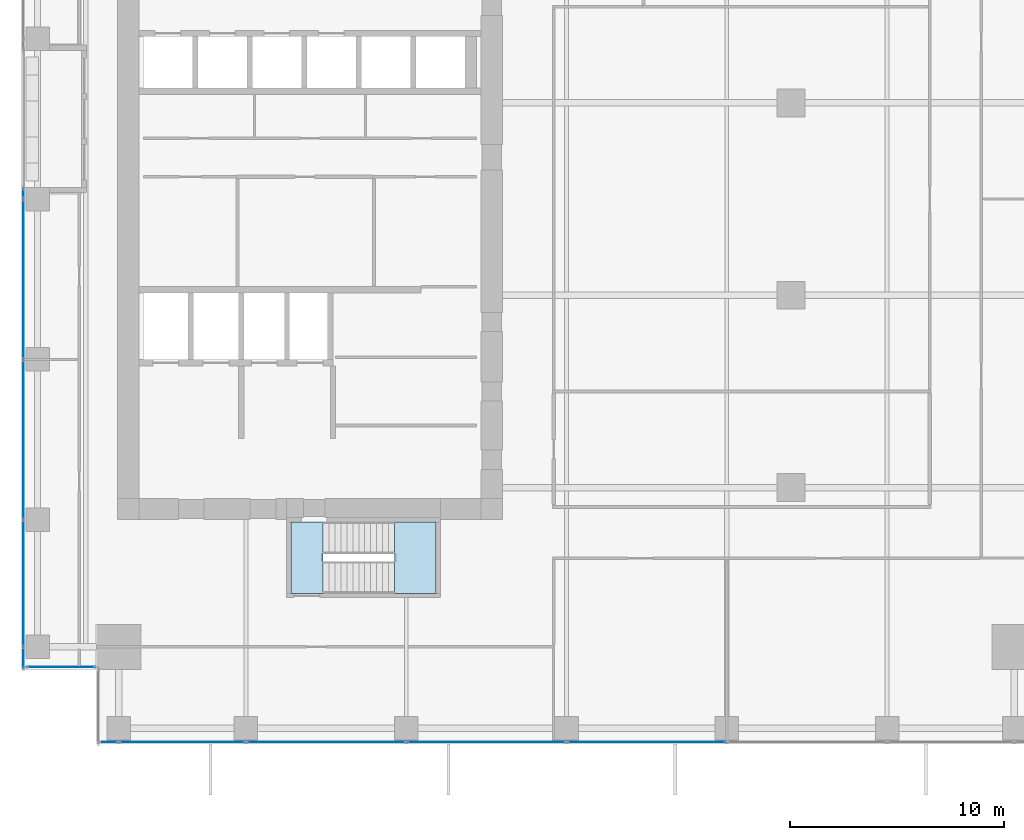
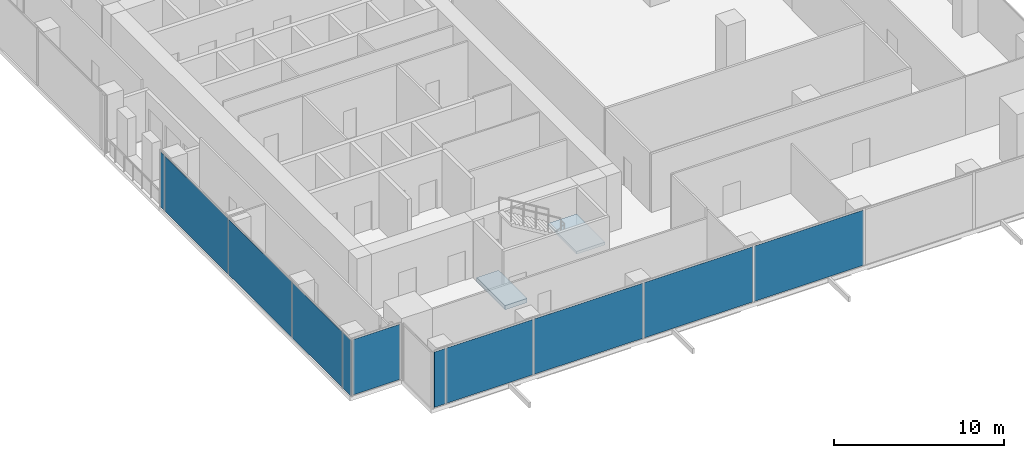
# One storey, part 24 of 35: 11 plates, 2 slabs, 4 elements without a shape of their own.
"""IFC4 building model written with IfcOpenShell, lengths in metres."""

from ifc_helpers import new_model, si_unit, direction, frame, origin, origin_2d, place, context, subcontext, project, spatial, polyline, rectangle, outline, extrude, source, transform, mapped, material, layer, layer_set, type_object, element, aggregate, save


model = new_model("IFC4")

# Units and contexts
model_context = context("Model", 3, precision=1e-05, world=origin(), true_north=direction((0.0, 1.0)))
body_context = subcontext(model_context, "Body", "Model", "MODEL_VIEW")
ifc_project = project(units=[si_unit("LENGTHUNIT", "METRE"), si_unit("AREAUNIT", "SQUARE_METRE"), si_unit("VOLUMEUNIT", "CUBIC_METRE"), si_unit("PLANEANGLEUNIT", "RADIAN"), si_unit("MASSUNIT", "GRAM", prefix="KILO")], contexts=[model_context])

# Site, building, storey
site_placement = place(None, origin())
site = spatial("IfcSite", under=ifc_project, at=site_placement, CompositionType="ELEMENT")
building_placement = place(site_placement, origin())
building = spatial("IfcBuilding", under=site, at=building_placement, Name="Khomas Fold Tower", CompositionType="ELEMENT")
storey_placement = place(building_placement, frame((0.0, 0.0, 132.300048828125)))
storey = spatial("IfcBuildingStorey", under=building, at=storey_placement, Name="L28", CompositionType="ELEMENT", Elevation=132.300048828125)

# Curtain wall, plates
ifc_material_1 = material(Name="Aluminium framed double glazing", Category="aluminium")
curtain_wall_type = type_object("IfcCurtainWallType", Name="SK-Unitised clear-glass wall, growing floors CW1", PredefinedType="NOTDEFINED", material=ifc_material_1)
curtain_wall_1_placement = place(storey_placement, origin())
curtain_wall_1 = element("IfcCurtainWall", 1, at=curtain_wall_1_placement, inside=storey, type_object=curtain_wall_type, Name="CW1 run L28 00-0", PredefinedType="NOTDEFINED")
ifc_material_2 = material(Name="Clear double glazed unit")
ifc_layer_1 = layer(ifc_material_2, 0.031982421875)
ifc_layer_set_1 = layer_set([ifc_layer_1], Name="Clear double glazed unit")
plate_type = type_object("IfcPlateType", Name="SK-Unitised clear-glass wall, growing floors glass panel CW1-P", PredefinedType="CURTAIN_PANEL", material=ifc_layer_set_1)
shared_shape_1 = source(origin(), body_context, "Body", "SweptSolid", [
    extrude(rectangle(XDim=0.760009765625, YDim=0.031982421875, at=origin_2d()), origin(), (0.0, 0.0, 1.0), 3.97998046875),
])
plate_1_placement = place(storey_placement, frame((5.639892578125, 1.60009765625, 0.0), z_axis=(0.0, 0.0, 1.0), x_axis=(1.0, 0.0, 0.0)))
plate_1 = element("IfcPlate", 2, at=plate_1_placement, type_object=plate_type, Name="CW1 glass panel 1", PredefinedType="CURTAIN_PANEL", context=body_context, shape_type="MappedRepresentation", body=[
    mapped(shared_shape_1, transform((0.0, 0.0, 0.0))),
])
shared_shape_2 = source(origin(), body_context, "Body", "SweptSolid", [
    extrude(rectangle(XDim=5.889892578125, YDim=0.031982421875, at=origin_2d()), origin(), (0.0, 0.0, 1.0), 3.97998046875),
])
plate_2_placement = place(storey_placement, frame((9.02490234375, 1.60009765625, 0.0), z_axis=(0.0, 0.0, 1.0), x_axis=(1.0, 0.0, 0.0)))
plate_2 = element("IfcPlate", 3, at=plate_2_placement, type_object=plate_type, Name="CW1 glass panel 2", PredefinedType="CURTAIN_PANEL", context=body_context, shape_type="MappedRepresentation", body=[
    mapped(shared_shape_2, transform((0.0, 0.0, 0.0))),
])

# Curtain wall, plate
curtain_wall_2_placement = place(storey_placement, origin())
curtain_wall_2 = element("IfcCurtainWall", 4, at=curtain_wall_2_placement, inside=storey, type_object=curtain_wall_type, Name="CW1 run L28 09-1", PredefinedType="NOTDEFINED")
plate_3_placement = place(storey_placement, frame((1.60009765625, 9.02490234375, 0.0), z_axis=(0.0, 0.0, 1.0), x_axis=(0.0, -1.0, 0.0)))
plate_3 = element("IfcPlate", 5, at=plate_3_placement, type_object=plate_type, Name="CW1 glass panel 4", PredefinedType="CURTAIN_PANEL", context=body_context, shape_type="MappedRepresentation", body=[
    mapped(shared_shape_2, transform((0.0, 0.0, 0.0))),
])

# Plate
shared_shape_3 = source(origin(), body_context, "Body", "SweptSolid", [
    extrude(rectangle(XDim=7.43994140625, YDim=0.031982421875, at=origin_2d()), origin(), (0.0, 0.0, 1.0), 3.97998046875),
])
plate_4_placement = place(storey_placement, frame((15.75, 1.60009765625, 0.0), z_axis=(0.0, 0.0, 1.0), x_axis=(1.0, 0.0, 0.0)))
plate_4 = element("IfcPlate", 6, at=plate_4_placement, type_object=plate_type, Name="CW1 glass panel 3", PredefinedType="CURTAIN_PANEL", context=body_context, shape_type="MappedRepresentation", body=[
    mapped(shared_shape_3, transform((0.0, 0.0, 0.0))),
])

plate_5_placement = place(storey_placement, frame((23.25, 1.60009765625, 0.0), z_axis=(0.0, 0.0, 1.0), x_axis=(1.0, 0.0, 0.0)))
plate_5 = element("IfcPlate", 7, at=plate_5_placement, type_object=plate_type, Name="CW1 glass panel 4", PredefinedType="CURTAIN_PANEL", context=body_context, shape_type="MappedRepresentation", body=[
    mapped(shared_shape_3, transform((0.0, 0.0, 0.0))),
])

plate_6_placement = place(storey_placement, frame((30.75, 1.60009765625, 0.0), z_axis=(0.0, 0.0, 1.0), x_axis=(1.0, 0.0, 0.0)))
plate_6 = element("IfcPlate", 8, at=plate_6_placement, type_object=plate_type, Name="CW1 glass panel 5", PredefinedType="CURTAIN_PANEL", context=body_context, shape_type="MappedRepresentation", body=[
    mapped(shared_shape_3, transform((0.0, 0.0, 0.0))),
])

aggregate(curtain_wall_1, [plate_1, plate_2, plate_4, plate_5, plate_6])

plate_7_placement = place(storey_placement, frame((1.60009765625, 23.25, 0.0), z_axis=(0.0, 0.0, 1.0), x_axis=(0.0, -1.0, 0.0)))
plate_7 = element("IfcPlate", 9, at=plate_7_placement, type_object=plate_type, Name="CW1 glass panel 2", PredefinedType="CURTAIN_PANEL", context=body_context, shape_type="MappedRepresentation", body=[
    mapped(shared_shape_3, transform((0.0, 0.0, 0.0))),
])

plate_8_placement = place(storey_placement, frame((1.60009765625, 15.75, 0.0), z_axis=(0.0, 0.0, 1.0), x_axis=(0.0, -1.0, 0.0)))
plate_8 = element("IfcPlate", 10, at=plate_8_placement, type_object=plate_type, Name="CW1 glass panel 3", PredefinedType="CURTAIN_PANEL", context=body_context, shape_type="MappedRepresentation", body=[
    mapped(shared_shape_3, transform((0.0, 0.0, 0.0))),
])

shared_shape_4 = source(origin(), body_context, "Body", "SweptSolid", [
    extrude(rectangle(XDim=0.9599609375, YDim=0.031982421875, at=origin_2d()), origin(), (0.0, 0.0, 1.0), 3.97998046875),
])
plate_9_placement = place(storey_placement, frame((1.60009765625, 5.5400390625, 0.0), z_axis=(0.0, 0.0, 1.0), x_axis=(0.0, -1.0, 0.0)))
plate_9 = element("IfcPlate", 11, at=plate_9_placement, type_object=plate_type, Name="CW1 glass panel 5", PredefinedType="CURTAIN_PANEL", context=body_context, shape_type="MappedRepresentation", body=[
    mapped(shared_shape_4, transform((0.0, 0.0, 0.0))),
])

# Curtain wall, plate
curtain_wall_3_placement = place(storey_placement, origin())
curtain_wall_3 = element("IfcCurtainWall", 12, at=curtain_wall_3_placement, inside=storey, type_object=curtain_wall_type, Name="CW1 corner return L28 10", PredefinedType="NOTDEFINED")
shared_shape_5 = source(origin(), body_context, "Body", "SweptSolid", [
    extrude(rectangle(XDim=3.179931640625, YDim=0.031982421875, at=origin_2d()), origin(), (0.0, 0.0, 1.0), 3.97998046875),
])
plate_10_placement = place(storey_placement, frame((3.35009765625, 5.10009765625, 0.0), z_axis=(0.0, 0.0, 1.0), x_axis=(1.0, 0.0, 0.0)))
plate_10 = element("IfcPlate", 13, at=plate_10_placement, type_object=plate_type, Name="CW1 glass panel 1", PredefinedType="CURTAIN_PANEL", context=body_context, shape_type="MappedRepresentation", body=[
    mapped(shared_shape_5, transform((0.0, 0.0, 0.0))),
])
aggregate(curtain_wall_3, [plate_10])

# Plate
shared_shape_6 = source(origin(), body_context, "Body", "SweptSolid", [
    extrude(rectangle(XDim=0.4599609375, YDim=0.031982421875, at=origin_2d()), origin(), (0.0, 0.0, 1.0), 3.97998046875),
])
plate_11_placement = place(storey_placement, frame((1.60009765625, 27.260009765625, 0.0), z_axis=(0.0, 0.0, 1.0), x_axis=(0.0, -1.0, 0.0)))
plate_11 = element("IfcPlate", 14, at=plate_11_placement, type_object=plate_type, Name="CW1 glass panel 1", PredefinedType="CURTAIN_PANEL", context=body_context, shape_type="MappedRepresentation", body=[
    mapped(shared_shape_6, transform((0.0, 0.0, 0.0))),
])

aggregate(curtain_wall_2, [plate_11, plate_7, plate_8, plate_3, plate_9])

# Stair, slab
ifc_material_3 = material(Name="Concrete C40/50", Category="concrete")
stair_type = type_object("IfcStairType", Name="Stair ST2", PredefinedType="HALF_TURN_STAIR", material=ifc_material_3)
stair_placement = place(storey_placement, origin())
stair = element("IfcStair", 15, at=stair_placement, inside=storey, type_object=stair_type, Name="L28 ST2", PredefinedType="HALF_TURN_STAIR")
ifc_material_4 = material(Name="Concrete C40/50", Category="concrete")
ifc_layer_2 = layer(ifc_material_4, 0.199951171875)
ifc_layer_set_2 = layer_set([ifc_layer_2], Name="Concrete C40/50")
slab_type_1 = type_object("IfcSlabType", Name="Stair landing 200", PredefinedType="LANDING", material=ifc_layer_set_2)
shared_shape_7 = source(origin(), body_context, "Body", "SweptSolid", [
    extrude(outline(polyline([(18.9599609375, 8.550048828125), (20.89990234375, 8.550048828125), (20.89990234375, 11.89990234375), (18.9599609375, 11.89990234375), (18.9599609375, 8.550048828125)])), origin(), (0.0, 0.0, 1.0), 0.199951171875),
])
slab_1_placement = place(storey_placement, frame((0.0, 0.0, 2.0)))
slab_1 = element("IfcSlab", 16, at=slab_1_placement, type_object=slab_type_1, Name="ST2 landing 1", PredefinedType="LANDING", context=body_context, shape_type="MappedRepresentation", body=[
    mapped(shared_shape_7, transform((0.0, 0.0, 0.0))),
])
aggregate(stair, [slab_1])

# Slab
ifc_material_5 = material(Name="Concrete C40/50", Category="concrete")
ifc_layer_3 = layer(ifc_material_5, 0.300048828125)
ifc_layer_set_3 = layer_set([ifc_layer_3], Name="Concrete C40/50")
slab_type_2 = type_object("IfcSlabType", Name="Stair floor landing 300", PredefinedType="LANDING", material=ifc_layer_set_3)
shared_shape_8 = source(origin(), body_context, "Body", "SweptSolid", [
    extrude(outline(polyline([(15.60009765625, 8.550048828125), (14.10009765625, 8.550048828125), (14.10009765625, 11.89990234375), (15.60009765625, 11.89990234375), (15.60009765625, 8.550048828125)])), origin(), (0.0, 0.0, 1.0), 0.300048828125),
])
slab_2_placement = place(storey_placement, frame((0.0, 0.0, -0.300048828125)))
element("IfcSlab", 17, at=slab_2_placement, inside=storey, type_object=slab_type_2, Name="ST2 floor landing", PredefinedType="LANDING", context=body_context, shape_type="MappedRepresentation", body=[
    mapped(shared_shape_8, transform((0.0, 0.0, 0.0))),
])

save(model, "model.ifc")
